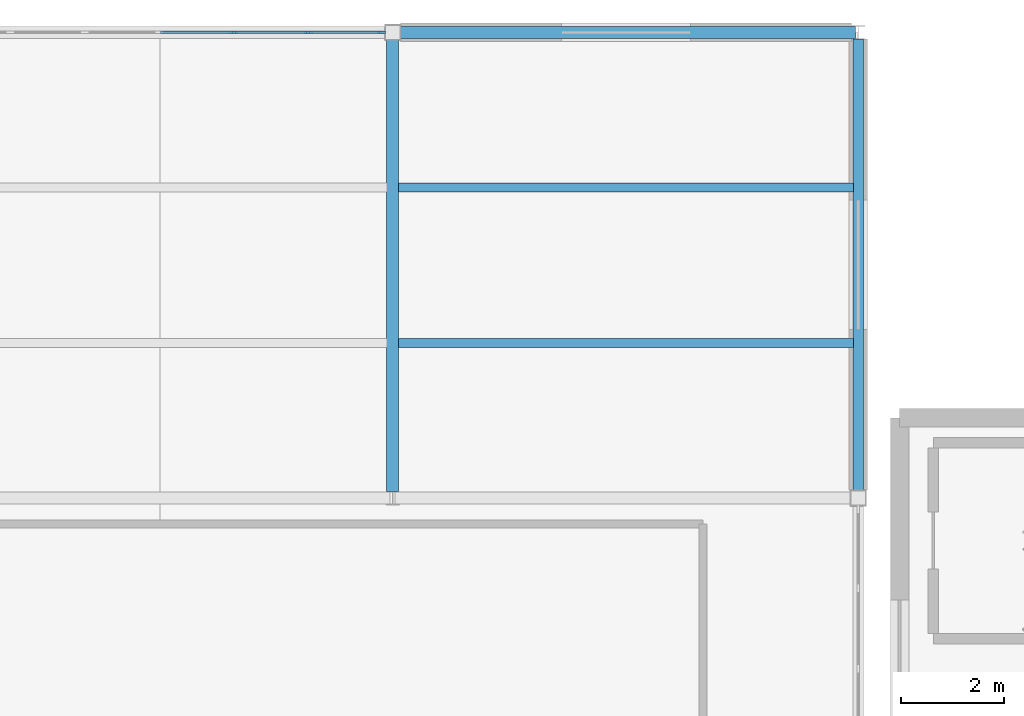
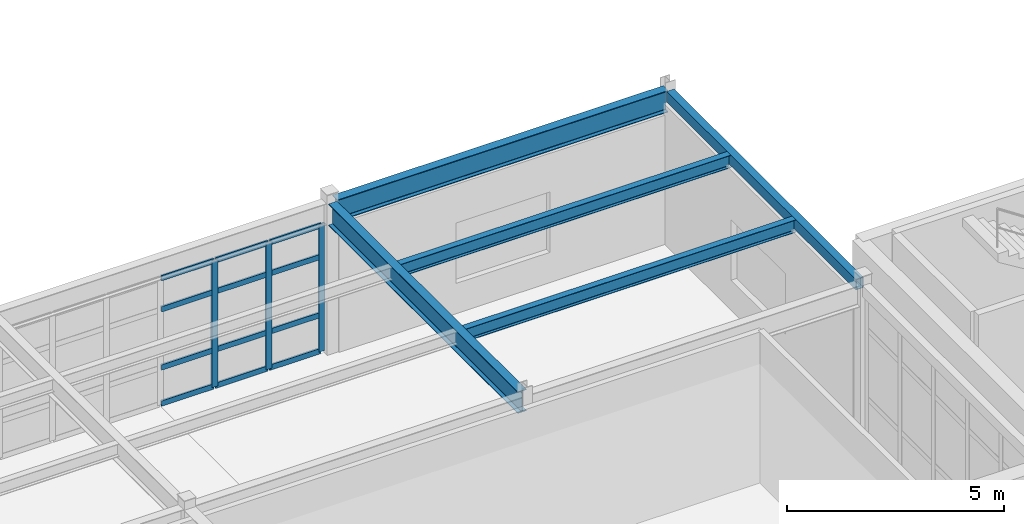
# One storey, part 35 of 81: 15 members, 5 beams, 1 element without a shape of its own.
"""IFC4 building model written with IfcOpenShell, lengths in metres."""

from ifc_helpers import new_model, si_unit, direction, frame, origin, origin_2d, place, context, subcontext, project, spatial, rectangle, hollow_rectangle, i_section, extrude, material, material_profile, profile_set, type_object, element, aggregate, save


model = new_model("IFC4")

# Units and contexts
model_context = context("Model", 3, precision=1e-05, world=origin(), true_north=direction((0.0, 1.0)))
body_context = subcontext(model_context, "Body", "Model", "MODEL_VIEW")
ifc_project = project(units=[si_unit("LENGTHUNIT", "METRE"), si_unit("AREAUNIT", "SQUARE_METRE"), si_unit("VOLUMEUNIT", "CUBIC_METRE"), si_unit("PLANEANGLEUNIT", "RADIAN"), si_unit("MASSUNIT", "GRAM", prefix="KILO")], contexts=[model_context])

# Site, building, storey
site_placement = place(None, origin())
site = spatial("IfcSite", under=ifc_project, at=site_placement, CompositionType="ELEMENT")
building_placement = place(site_placement, origin())
building = spatial("IfcBuilding", under=site, at=building_placement, Name="Glasvene Arena", CompositionType="ELEMENT")
storey_placement = place(building_placement, frame((0.0, 0.0, 15.0)))
storey = spatial("IfcBuildingStorey", under=building, at=storey_placement, Name="L03", CompositionType="ELEMENT", Elevation=15.0)

# Beams
ifc_material_1 = material(Name="Steel S355J2", Category="steel")
ifc_material_profile_1 = material_profile(ifc_material_1, i_section(OverallWidth=0.228271484375, OverallDepth=0.607666015625, WebThickness=0.010986328125, FlangeThickness=0.017333984375, FilletRadius=0.0126953125, at=origin_2d()), Name="UKB 610x229x113")
ifc_profile_set_1 = profile_set([ifc_material_profile_1], Name="Steel S355J2")
beam_type_1 = type_object("IfcBeamType", Name="BM-GIRD-610", PredefinedType="BEAM", material=ifc_profile_set_1)
beam_1_placement = place(storey_placement, frame((36.14501953125, 118.0, 3.9462890625), z_axis=(1.0, 0.0, 0.0), x_axis=(0.0, 1.0, 0.0)))
element("IfcBeam", 1, at=beam_1_placement, inside=storey, type_object=beam_type_1, Name="Primary X girder L03-0961", PredefinedType="BEAM", context=body_context, shape_type="SweptSolid", body=[
    extrude(i_section(OverallWidth=0.228271484375, OverallDepth=0.607666015625, WebThickness=0.010986328125, FlangeThickness=0.017333984375, FilletRadius=0.0126953125, at=origin_2d()), origin(), (0.0, 0.0, 1.0), 8.804931640625),
])
beam_2_placement = place(storey_placement, frame((36.0, 109.125244140625, 3.9462890625), z_axis=(0.0, 1.0, 0.0), x_axis=(-1.0, 0.0, 0.0)))
element("IfcBeam", 2, at=beam_2_placement, inside=storey, type_object=beam_type_1, Name="Primary Y girder L03-0983", PredefinedType="BEAM", context=body_context, shape_type="SweptSolid", body=[
    extrude(i_section(OverallWidth=0.228271484375, OverallDepth=0.607666015625, WebThickness=0.010986328125, FlangeThickness=0.017333984375, FilletRadius=0.0126953125, at=origin_2d()), origin(), (0.0, 0.0, 1.0), 8.729736328125),
])
ifc_material_profile_2 = material_profile(ifc_material_1, i_section(OverallWidth=0.17138671875, OverallDepth=0.35498046875, WebThickness=0.00732421875, FlangeThickness=0.011474609375, FilletRadius=0.01025390625, at=origin_2d()), Name="UKB 356x171x51")
ifc_profile_set_2 = profile_set([ifc_material_profile_2], Name="Steel S355J2")
beam_type_2 = type_object("IfcBeamType", Name="BM-JOIST-356", PredefinedType="JOIST", material=ifc_profile_set_2)
for number, where, z_axis, x_axis, name in (
    (3, (36.110107421875, 112.0, 4.072509765625), (1.0, 0.0, 0.0), (0.0, 1.0, 0.0), "Composite floor joist L03-1005"),
    (4, (36.110107421875, 115.0, 4.072509765625), (1.0, 0.0, 0.0), (0.0, 1.0, 0.0), "Composite floor joist L03-1006"),
):
    element("IfcBeam", number, at=place(storey_placement, frame(where, z_axis=z_axis, x_axis=x_axis)), inside=storey, type_object=beam_type_2, Name=name, PredefinedType="JOIST", context=body_context, shape_type="SweptSolid", body=[
        extrude(i_section(OverallWidth=0.17138671875, OverallDepth=0.35498046875, WebThickness=0.00732421875, FlangeThickness=0.011474609375, FilletRadius=0.01025390625, at=origin_2d()), origin(), (0.0, 0.0, 1.0), 8.7939453125),
    ])
ifc_material_profile_3 = material_profile(ifc_material_1, hollow_rectangle(XDim=0.199951171875, YDim=0.300048828125, WallThickness=0.012451171875, at=origin_2d()), Name="RHS 300x200x12.5")
ifc_profile_set_3 = profile_set([ifc_material_profile_3], Name="Steel S355J2")
beam_type_3 = type_object("IfcBeamType", Name="BM-SPAND-300", PredefinedType="SPANDREL", material=ifc_profile_set_3)
beam_3_placement = place(storey_placement, frame((45.0, 109.14501953125, 4.10009765625), z_axis=(0.0, 1.0, 0.0), x_axis=(-1.0, 0.0, 0.0)))
element("IfcBeam", 5, at=beam_3_placement, inside=storey, type_object=beam_type_3, Name="Primary Y girder L03-0984", PredefinedType="SPANDREL", context=body_context, shape_type="SweptSolid", body=[
    extrude(hollow_rectangle(XDim=0.199951171875, YDim=0.300048828125, WallThickness=0.012451171875, at=origin_2d()), origin(), (0.0, 0.0, 1.0), 8.729736328125),
])

# Curtain wall, members
ifc_material_2 = material(Name="Low-emissivity laminated double glazing", Category="glass")
curtain_wall_type = type_object("IfcCurtainWallType", Name="CW-FAC-L03-864x358", PredefinedType="USERDEFINED", material=ifc_material_2)
curtain_wall_placement = place(storey_placement, frame((27.170166015625, 118.0, 0.0)))
curtain_wall = element("IfcCurtainWall", 6, at=curtain_wall_placement, inside=storey, type_object=curtain_wall_type, Name="Unitised curtain wall CW-F-L03-150-315-1180-13", ObjectType="CURTAIN WALL", PredefinedType="USERDEFINED")
ifc_material_3 = material(Name="Anodised architectural aluminium", Category="aluminium")
ifc_material_profile_4 = material_profile(ifc_material_3, rectangle(XDim=0.050048828125, YDim=0.159912109375, at=origin_2d()), Name="ALU MULLION 50x160")
ifc_profile_set_4 = profile_set([ifc_material_profile_4], Name="Anodised architectural aluminium")
member_type_1 = type_object("IfcMemberType", Name="CW-MUL-150", PredefinedType="MULLION", material=ifc_profile_set_4)
member_1_placement = place(storey_placement, frame((32.9287109375, 118.0, 0.06005859375), z_axis=(0.0, 0.0, 1.0), x_axis=(0.0, 1.0, 0.0)))
member_1 = element("IfcMember", 7, at=member_1_placement, type_object=member_type_1, Name="CW-032 mullion 5", PredefinedType="MULLION", context=body_context, shape_type="SweptSolid", body=[
    extrude(rectangle(XDim=0.050048828125, YDim=0.159912109375, at=origin_2d()), origin(), (0.0, 0.0, 1.0), 3.576904296875),
])
member_2_placement = place(storey_placement, frame((34.368408203125, 118.0, 0.06005859375), z_axis=(0.0, 0.0, 1.0), x_axis=(0.0, 1.0, 0.0)))
member_2 = element("IfcMember", 8, at=member_2_placement, type_object=member_type_1, Name="CW-032 mullion 6", PredefinedType="MULLION", context=body_context, shape_type="SweptSolid", body=[
    extrude(rectangle(XDim=0.050048828125, YDim=0.159912109375, at=origin_2d()), origin(), (0.0, 0.0, 1.0), 3.576904296875),
])
member_3_placement = place(storey_placement, frame((35.782958984375, 118.0, 0.06005859375), z_axis=(0.0, 0.0, 1.0), x_axis=(0.0, 1.0, 0.0)))
member_3 = element("IfcMember", 9, at=member_3_placement, type_object=member_type_1, Name="CW-032 mullion 7", PredefinedType="MULLION", context=body_context, shape_type="SweptSolid", body=[
    extrude(rectangle(XDim=0.050048828125, YDim=0.159912109375, at=origin_2d()), origin(), (0.0, 0.0, 1.0), 3.576904296875),
])
ifc_material_profile_5 = material_profile(ifc_material_3, rectangle(XDim=0.050048828125, YDim=0.14990234375, at=origin_2d()), Name="ALU TRANSOM 50x150")
ifc_profile_set_5 = profile_set([ifc_material_profile_5], Name="Anodised architectural aluminium")
member_type_2 = type_object("IfcMemberType", Name="CW-TRN-150", PredefinedType="USERDEFINED", material=ifc_profile_set_5)
member_4_placement = place(storey_placement, frame((31.51416015625, 118.0, 0.0849609375), z_axis=(1.0, 0.0, 0.0), x_axis=(0.0, 1.0, 0.0)))
member_4 = element("IfcMember", 10, at=member_4_placement, type_object=member_type_2, Name="CW-032 transom 4.1", ObjectType="TRANSOM", PredefinedType="USERDEFINED", context=body_context, shape_type="SweptSolid", body=[
    extrude(rectangle(XDim=0.050048828125, YDim=0.14990234375, at=origin_2d()), origin(), (0.0, 0.0, 1.0), 1.3896484375),
])
member_5_placement = place(storey_placement, frame((31.51416015625, 118.0, 1.10009765625), z_axis=(1.0, 0.0, 0.0), x_axis=(0.0, 1.0, 0.0)))
member_5 = element("IfcMember", 11, at=member_5_placement, type_object=member_type_2, Name="CW-032 transom 4.2", ObjectType="TRANSOM", PredefinedType="USERDEFINED", context=body_context, shape_type="SweptSolid", body=[
    extrude(rectangle(XDim=0.050048828125, YDim=0.14990234375, at=origin_2d()), origin(), (0.0, 0.0, 1.0), 1.3896484375),
])
member_6_placement = place(storey_placement, frame((31.51416015625, 118.0, 2.737060546875), z_axis=(1.0, 0.0, 0.0), x_axis=(0.0, 1.0, 0.0)))
member_6 = element("IfcMember", 12, at=member_6_placement, type_object=member_type_2, Name="CW-032 transom 4.3", ObjectType="TRANSOM", PredefinedType="USERDEFINED", context=body_context, shape_type="SweptSolid", body=[
    extrude(rectangle(XDim=0.050048828125, YDim=0.14990234375, at=origin_2d()), origin(), (0.0, 0.0, 1.0), 1.3896484375),
])
member_7_placement = place(storey_placement, frame((31.51416015625, 118.0, 3.612060546875), z_axis=(1.0, 0.0, 0.0), x_axis=(0.0, 1.0, 0.0)))
member_7 = element("IfcMember", 13, at=member_7_placement, type_object=member_type_2, Name="CW-032 transom 4.4", ObjectType="TRANSOM", PredefinedType="USERDEFINED", context=body_context, shape_type="SweptSolid", body=[
    extrude(rectangle(XDim=0.050048828125, YDim=0.14990234375, at=origin_2d()), origin(), (0.0, 0.0, 1.0), 1.3896484375),
])
member_8_placement = place(storey_placement, frame((32.95361328125, 118.0, 0.0849609375), z_axis=(1.0, 0.0, 0.0), x_axis=(0.0, 1.0, 0.0)))
member_8 = element("IfcMember", 14, at=member_8_placement, type_object=member_type_2, Name="CW-032 transom 5.1", ObjectType="TRANSOM", PredefinedType="USERDEFINED", context=body_context, shape_type="SweptSolid", body=[
    extrude(rectangle(XDim=0.050048828125, YDim=0.14990234375, at=origin_2d()), origin(), (0.0, 0.0, 1.0), 1.3896484375),
])
member_9_placement = place(storey_placement, frame((32.95361328125, 118.0, 1.10009765625), z_axis=(1.0, 0.0, 0.0), x_axis=(0.0, 1.0, 0.0)))
member_9 = element("IfcMember", 15, at=member_9_placement, type_object=member_type_2, Name="CW-032 transom 5.2", ObjectType="TRANSOM", PredefinedType="USERDEFINED", context=body_context, shape_type="SweptSolid", body=[
    extrude(rectangle(XDim=0.050048828125, YDim=0.14990234375, at=origin_2d()), origin(), (0.0, 0.0, 1.0), 1.3896484375),
])
member_10_placement = place(storey_placement, frame((32.95361328125, 118.0, 2.737060546875), z_axis=(1.0, 0.0, 0.0), x_axis=(0.0, 1.0, 0.0)))
member_10 = element("IfcMember", 16, at=member_10_placement, type_object=member_type_2, Name="CW-032 transom 5.3", ObjectType="TRANSOM", PredefinedType="USERDEFINED", context=body_context, shape_type="SweptSolid", body=[
    extrude(rectangle(XDim=0.050048828125, YDim=0.14990234375, at=origin_2d()), origin(), (0.0, 0.0, 1.0), 1.3896484375),
])
member_11_placement = place(storey_placement, frame((32.95361328125, 118.0, 3.612060546875), z_axis=(1.0, 0.0, 0.0), x_axis=(0.0, 1.0, 0.0)))
member_11 = element("IfcMember", 17, at=member_11_placement, type_object=member_type_2, Name="CW-032 transom 5.4", ObjectType="TRANSOM", PredefinedType="USERDEFINED", context=body_context, shape_type="SweptSolid", body=[
    extrude(rectangle(XDim=0.050048828125, YDim=0.14990234375, at=origin_2d()), origin(), (0.0, 0.0, 1.0), 1.3896484375),
])
member_12_placement = place(storey_placement, frame((34.393310546875, 118.0, 0.0849609375), z_axis=(1.0, 0.0, 0.0), x_axis=(0.0, 1.0, 0.0)))
member_12 = element("IfcMember", 18, at=member_12_placement, type_object=member_type_2, Name="CW-032 transom 6.1", ObjectType="TRANSOM", PredefinedType="USERDEFINED", context=body_context, shape_type="SweptSolid", body=[
    extrude(rectangle(XDim=0.050048828125, YDim=0.14990234375, at=origin_2d()), origin(), (0.0, 0.0, 1.0), 1.36474609375),
])
member_13_placement = place(storey_placement, frame((34.393310546875, 118.0, 1.10009765625), z_axis=(1.0, 0.0, 0.0), x_axis=(0.0, 1.0, 0.0)))
member_13 = element("IfcMember", 19, at=member_13_placement, type_object=member_type_2, Name="CW-032 transom 6.2", ObjectType="TRANSOM", PredefinedType="USERDEFINED", context=body_context, shape_type="SweptSolid", body=[
    extrude(rectangle(XDim=0.050048828125, YDim=0.14990234375, at=origin_2d()), origin(), (0.0, 0.0, 1.0), 1.36474609375),
])
member_14_placement = place(storey_placement, frame((34.393310546875, 118.0, 2.737060546875), z_axis=(1.0, 0.0, 0.0), x_axis=(0.0, 1.0, 0.0)))
member_14 = element("IfcMember", 20, at=member_14_placement, type_object=member_type_2, Name="CW-032 transom 6.3", ObjectType="TRANSOM", PredefinedType="USERDEFINED", context=body_context, shape_type="SweptSolid", body=[
    extrude(rectangle(XDim=0.050048828125, YDim=0.14990234375, at=origin_2d()), origin(), (0.0, 0.0, 1.0), 1.36474609375),
])
member_15_placement = place(storey_placement, frame((34.393310546875, 118.0, 3.612060546875), z_axis=(1.0, 0.0, 0.0), x_axis=(0.0, 1.0, 0.0)))
member_15 = element("IfcMember", 21, at=member_15_placement, type_object=member_type_2, Name="CW-032 transom 6.4", ObjectType="TRANSOM", PredefinedType="USERDEFINED", context=body_context, shape_type="SweptSolid", body=[
    extrude(rectangle(XDim=0.050048828125, YDim=0.14990234375, at=origin_2d()), origin(), (0.0, 0.0, 1.0), 1.36474609375),
])
aggregate(curtain_wall, [member_1, member_2, member_3, member_4, member_5, member_6, member_7, member_8, member_9, member_10, member_11, member_12, member_13, member_14, member_15])

save(model, "model.ifc")
